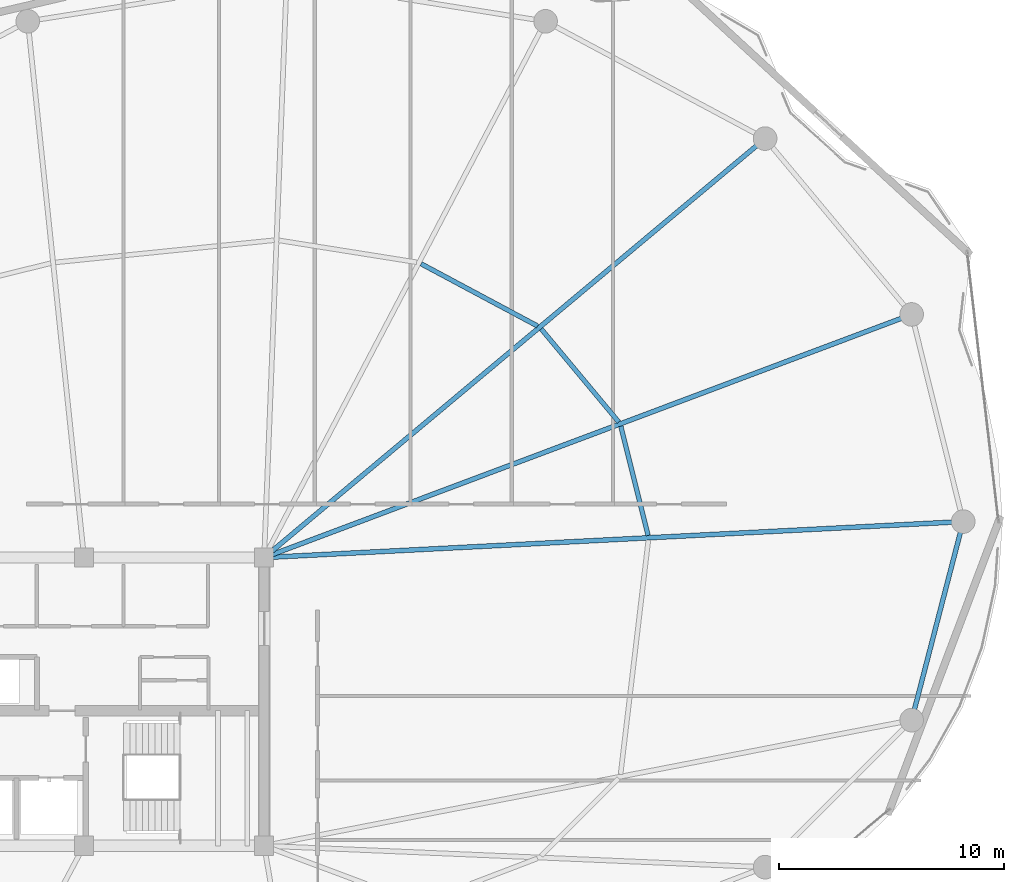
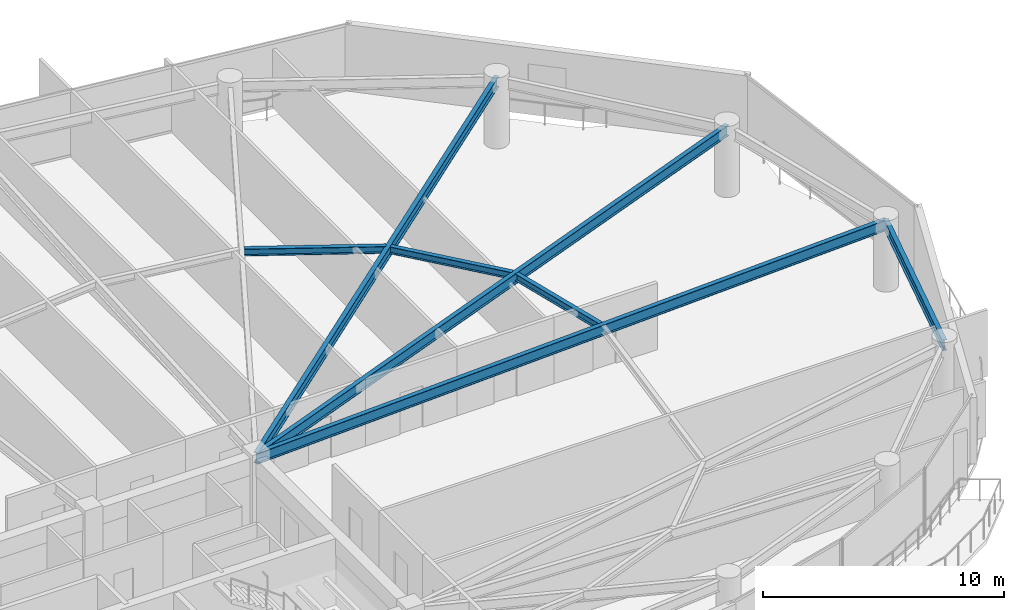
# One storey, part 15 of 31: 7 beams.
"""IFC4 building model written with IfcOpenShell, lengths in metres."""

import ifcopenshell
import ifcopenshell.guid

model = None  # the IFC model being written
_history = None  # IfcOwnerHistory: only IFC2X3 demands one
_inside = {}  # id of a spatial element -> (the spatial element, [elements in it])
_under = {}  # id of a project, library or spatial element -> (it, [spatial elements below it])
_declared = {}  # id of a project -> (the project, [libraries it declares])
_typed = {}  # id of a type object -> (the type object, [elements of that type])
_made_of = {}  # id of a material, layer set ... -> (it, [elements and type objects made of it])


def new_model(schema):
    """Start an empty IFC model of exactly this schema.

    Asked for "IFC4X3", IfcOpenShell would pick the latest addendum, in which some entities
    have other attributes; the version numbers below select the first issue.
    IFC2X3 requires an IfcOwnerHistory on every rooted entity: one is made here for all.
    """
    global model, _history
    if schema == "IFC4X3":
        model = ifcopenshell.file(schema_version=(4, 3, 0, 0))
    else:
        model = ifcopenshell.file(schema=schema)
    _inside.clear()
    _under.clear()
    _declared.clear()
    _typed.clear()
    _made_of.clear()
    _history = None
    if model.schema == "IFC2X3":
        org = make("IfcOrganization", Name="unknown")
        user = make(
            "IfcPersonAndOrganization",
            ThePerson=make("IfcPerson", FamilyName="unknown"),
            TheOrganization=org,
        )
        app = make(
            "IfcApplication",
            ApplicationDeveloper=org,
            Version="unknown",
            ApplicationFullName="unknown",
            ApplicationIdentifier="unknown",
        )
        _history = make(
            "IfcOwnerHistory",
            OwningUser=user,
            OwningApplication=app,
            ChangeAction="ADDED",
            CreationDate=0,
        )
    return model


def make(cls, **values):
    """One entity of the class cls with the attributes given. An attribute that is None is left unset."""
    return model.create_entity(
        cls, **{name: value for name, value in values.items() if value is not None}
    )


def rooted(cls, **values):
    """An entity with a GlobalId (a new one), such as an element, a storey or a relation."""
    return make(cls, GlobalId=ifcopenshell.guid.new(), OwnerHistory=_history, **values)


def si_unit(unit_type, name, prefix=None):
    """IfcSIUnit, for example si_unit("LENGTHUNIT", "METRE", prefix="MILLI")."""
    return make("IfcSIUnit", UnitType=unit_type, Prefix=prefix, Name=name)


def assignment(units):
    """IfcUnitAssignment: the units of a project."""
    return None if units is None else make("IfcUnitAssignment", Units=units)


def point(xyz):
    """IfcCartesianPoint."""
    return None if xyz is None else make("IfcCartesianPoint", Coordinates=xyz)


def direction(xyz):
    """IfcDirection."""
    return None if xyz is None else make("IfcDirection", DirectionRatios=xyz)


def frame(location, z_axis=None, x_axis=None):
    """IfcAxis2Placement3D, a coordinate frame: its origin and axes. An axis left out is left unset."""
    return make(
        "IfcAxis2Placement3D",
        Location=point(location),
        Axis=direction(z_axis),
        RefDirection=direction(x_axis),
    )


def frame_2d(location, x_axis=None):
    """IfcAxis2Placement2D, a coordinate frame in the plane: its origin and x axis."""
    return make(
        "IfcAxis2Placement2D", Location=point(location), RefDirection=direction(x_axis)
    )


def origin():
    """The frame at (0, 0, 0) with its axes left unset."""
    return frame((0.0, 0.0, 0.0))


def origin_2d():
    """The frame at (0, 0) in the plane with its x axis left unset."""
    return frame_2d((0.0, 0.0))


def place(relative_to, where):
    """IfcLocalPlacement: puts the frame where relative to a parent placement (None: the world)."""
    return make(
        "IfcLocalPlacement", PlacementRelTo=relative_to, RelativePlacement=where
    )


def context(
    kind, dimensions, precision=None, world=None, true_north=None, identifier=None
):
    """IfcGeometricRepresentationContext, for example the 3D "Model" context."""
    return make(
        "IfcGeometricRepresentationContext",
        ContextIdentifier=identifier,
        ContextType=kind,
        CoordinateSpaceDimension=dimensions,
        Precision=precision,
        WorldCoordinateSystem=world,
        TrueNorth=true_north,
    )


def subcontext(parent, identifier, kind, view, scale=None):
    """IfcGeometricRepresentationSubContext, for example "Body" below "Model"."""
    return make(
        "IfcGeometricRepresentationSubContext",
        ContextIdentifier=identifier,
        ContextType=kind,
        ParentContext=parent,
        TargetScale=scale,
        TargetView=view,
    )


def project(units=None, contexts=None):
    """IfcProject with its units and contexts."""
    return rooted(
        "IfcProject",
        Name="project",
        RepresentationContexts=contexts,
        UnitsInContext=assignment(units),
    )


def spatial(cls, under=None, at=None, **own):
    """A site, building, storey or space (cls), placed at a placement, below another one or the project."""
    s = rooted(cls, ObjectPlacement=at, **own)
    if under is not None:
        _under.setdefault(under.id(), (under, []))[1].append(s)
    return s


def profile(cls, at=None, kind="AREA", **sizes):
    """A parametric profile (cls). Its sizes go by their IFC names, for example OverallWidth=200.0."""
    return make(cls, ProfileType=kind, Position=at, **sizes)


def i_section(**sizes):
    """IfcIShapeProfileDef."""
    return profile("IfcIShapeProfileDef", **sizes)


def extrude(swept, where, along, depth):
    """IfcExtrudedAreaSolid: the profile swept, set in the frame where, extruded along a direction by depth."""
    return make(
        "IfcExtrudedAreaSolid",
        SweptArea=swept,
        Position=where,
        ExtrudedDirection=direction(along),
        Depth=depth,
    )


def shape(context_of_items, identifier, shape_type, items):
    """IfcShapeRepresentation: the items that make up one representation, for example the "Body"."""
    return make(
        "IfcShapeRepresentation",
        ContextOfItems=context_of_items,
        RepresentationIdentifier=identifier,
        RepresentationType=shape_type,
        Items=items,
    )


def material(Name=None, Category=None):
    """IfcMaterial."""
    return make("IfcMaterial", Name=Name, Category=Category)


def material_profile(
    of_material, cross_section, Name=None, Category=None, Priority=None
):
    """IfcMaterialProfile: a cross section and its material."""
    return make(
        "IfcMaterialProfile",
        Name=Name,
        Material=of_material,
        Profile=cross_section,
        Priority=Priority,
        Category=Category,
    )


def profile_set(profiles, Name=None, composite=None):
    """IfcMaterialProfileSet."""
    return make(
        "IfcMaterialProfileSet",
        Name=Name,
        MaterialProfiles=profiles,
        CompositeProfile=composite,
    )


def made_of(thing, what):
    """Note that an element or type object is made of a material, layer set ...; save() writes the relation."""
    if what is not None:
        _made_of.setdefault(what.id(), (what, []))[1].append(thing)
    return thing


def type_object(cls, material=None, **own):
    """A type object (cls), such as IfcWallType, which elements share."""
    return made_of(rooted(cls, **own), material)


def element(
    cls,
    number,
    at=None,
    inside=None,
    cuts=None,
    type_object=None,
    material=None,
    context=None,
    identifier="Body",
    shape_type=None,
    held_by="IfcProductDefinitionShape",
    body=None,
    shapes=None,
    **own,
):
    """One element of the class cls, such as IfcWall. Its Tag is "e" and its number.

    at: its placement. inside: the storey or other place that contains it. cuts: it is an
    opening in that element (IfcRelVoidsElement). A single representation is given by context,
    identifier, shape_type and body (its items); several are given by shapes. held_by: the class
    of the entity that holds the representations. save() writes the other relations.
    """
    e = rooted(cls, Tag="e%d" % number, ObjectPlacement=at, **own)
    if body is not None:
        shapes = [shape(context, identifier, shape_type, body)]
    if shapes is not None:
        e.Representation = make(held_by, Representations=shapes)
    if inside is not None:
        _inside.setdefault(inside.id(), (inside, []))[1].append(e)
    if cuts is not None:
        rooted(
            "IfcRelVoidsElement", RelatingBuildingElement=cuts, RelatedOpeningElement=e
        )
    if type_object is not None:
        _typed.setdefault(type_object.id(), (type_object, []))[1].append(e)
    return made_of(e, material)


def aggregate(whole, parts):
    """IfcRelAggregates: a whole, such as a stair, and the parts it consists of."""
    return rooted("IfcRelAggregates", RelatingObject=whole, RelatedObjects=parts)


def save(model, path):
    """Write the relations noted so far, then the file.

    IfcRelAggregates (storeys below a building ...), IfcRelContainedInSpatialStructure (elements
    in a storey), IfcRelDefinesByType, IfcRelAssociatesMaterial and IfcRelDeclares: one each for
    every whole, place, type object, material and project.
    """
    for whole, parts in _under.values():
        aggregate(whole, parts)
    for where, things in _inside.values():
        rooted(
            "IfcRelContainedInSpatialStructure",
            RelatedElements=things,
            RelatingStructure=where,
        )
    for kind, things in _typed.values():
        rooted("IfcRelDefinesByType", RelatedObjects=things, RelatingType=kind)
    for what, things in _made_of.values():
        rooted("IfcRelAssociatesMaterial", RelatedObjects=things, RelatingMaterial=what)
    for by, libraries in _declared.values():
        rooted("IfcRelDeclares", RelatingContext=by, RelatedDefinitions=libraries)
    model.write(path)


model = new_model("IFC4")

# Units and contexts
model_context = context("Model", 3, precision=1e-05, world=origin(), true_north=direction((0.0, 1.0)))
body_context = subcontext(model_context, "Body", "Model", "MODEL_VIEW")
ifc_project = project(units=[si_unit("LENGTHUNIT", "METRE"), si_unit("AREAUNIT", "SQUARE_METRE"), si_unit("VOLUMEUNIT", "CUBIC_METRE"), si_unit("PLANEANGLEUNIT", "RADIAN"), si_unit("MASSUNIT", "GRAM", prefix="KILO")], contexts=[model_context])

# Site, building, storey
site_placement = place(None, origin())
site = spatial("IfcSite", under=ifc_project, at=site_placement, CompositionType="ELEMENT")
building_placement = place(site_placement, origin())
building = spatial("IfcBuilding", under=site, at=building_placement, Name="Kazevale Care Tower and Concert Hall", CompositionType="ELEMENT")
storey_placement = place(building_placement, frame((0.0, 0.0, 220.800048828125)))
storey = spatial("IfcBuildingStorey", under=building, at=storey_placement, Name="L58", CompositionType="ELEMENT", Elevation=220.800048828125)

# Beams
ifc_material = material(Name="Steel ASTM A572 Gr 50", Category="steel")
ifc_material_profile_1 = material_profile(ifc_material, i_section(OverallWidth=0.2119140625, OverallDepth=0.5439453125, WebThickness=0.01318359375, FlangeThickness=0.021240234375, at=origin_2d()), Name="W530x123")
ifc_profile_set_1 = profile_set([ifc_material_profile_1], Name="Steel ASTM A572 Gr 50")
beam_type_1 = type_object("IfcBeamType", Name="Radial Floor Girder W530x123", PredefinedType="BEAM", material=ifc_profile_set_1)
beam_1_placement = place(storey_placement, frame((44.0, 36.39990234375, 3.087890625), z_axis=(0.998674821251, 0.051464564506, 0.0), x_axis=(-0.051464564506, 0.998674821251, 0.0)))
element("IfcBeam", 1, at=beam_1_placement, inside=storey, type_object=beam_type_1, Name="beam:L58:rad:01", PredefinedType="BEAM", context=body_context, shape_type="SweptSolid", body=[
    extrude(i_section(OverallWidth=0.2119140625, OverallDepth=0.5439453125, WebThickness=0.01318359375, FlangeThickness=0.021240234375, at=origin_2d()), origin(), (0.0, 0.0, 1.0), 31.09130859375),
])
beam_2_placement = place(storey_placement, frame((44.0, 36.39990234375, 3.087890625), z_axis=(0.936168070124, 0.351552762015, 0.0), x_axis=(-0.351552762015, 0.936168070124, 0.0)))
element("IfcBeam", 2, at=beam_2_placement, inside=storey, type_object=beam_type_1, Name="beam:L58:rad:02", PredefinedType="BEAM", context=body_context, shape_type="SweptSolid", body=[
    extrude(i_section(OverallWidth=0.2119140625, OverallDepth=0.5439453125, WebThickness=0.01318359375, FlangeThickness=0.021240234375, at=origin_2d()), origin(), (0.0, 0.0, 1.0), 30.720947265625),
])
beam_3_placement = place(storey_placement, frame((44.0, 36.39990234375, 3.087890625), z_axis=(0.767059624015, 0.64157582031, 0.0), x_axis=(-0.64157582031, 0.767059624015, 0.0)))
element("IfcBeam", 3, at=beam_3_placement, inside=storey, type_object=beam_type_1, Name="beam:L58:rad:03", PredefinedType="BEAM", context=body_context, shape_type="SweptSolid", body=[
    extrude(i_section(OverallWidth=0.2119140625, OverallDepth=0.5439453125, WebThickness=0.01318359375, FlangeThickness=0.021240234375, at=origin_2d()), origin(), (0.0, 0.0, 1.0), 29.0068359375),
])
ifc_material_profile_2 = material_profile(ifc_material, i_section(OverallWidth=0.205078125, OverallDepth=0.35400390625, WebThickness=0.009521484375, FlangeThickness=0.016845703125, at=origin_2d()), Name="W360x79")
ifc_profile_set_2 = profile_set([ifc_material_profile_2], Name="Steel ASTM A572 Gr 50")
beam_type_2 = type_object("IfcBeamType", Name="Secondary Floor Joist W360x79", PredefinedType="JOIST", material=ifc_profile_set_2)
beam_4_placement = place(storey_placement, frame((61.052001953125, 37.382080078125, 3.182861328125), z_axis=(-0.241594204931, 0.970377369967, 0.0), x_axis=(-0.970377369967, -0.241594204931, 0.0)))
element("IfcBeam", 4, at=beam_4_placement, inside=storey, type_object=beam_type_2, Name="beam:L58:joist:01", PredefinedType="JOIST", context=body_context, shape_type="SweptSolid", body=[
    extrude(i_section(OverallWidth=0.205078125, OverallDepth=0.35400390625, WebThickness=0.009521484375, FlangeThickness=0.016845703125, at=origin_2d()), origin(), (0.0, 0.0, 1.0), 5.004150390625),
])
beam_5_placement = place(storey_placement, frame((59.7509765625, 42.4208984375, 3.182861328125), z_axis=(-0.640295940788, 0.768128314939, 0.0), x_axis=(-0.768128314939, -0.640295940788, 0.0)))
element("IfcBeam", 5, at=beam_5_placement, inside=storey, type_object=beam_type_2, Name="beam:L58:joist:02", PredefinedType="JOIST", context=body_context, shape_type="SweptSolid", body=[
    extrude(i_section(OverallWidth=0.205078125, OverallDepth=0.35400390625, WebThickness=0.009521484375, FlangeThickness=0.016845703125, at=origin_2d()), origin(), (0.0, 0.0, 1.0), 5.3818359375),
])
beam_6_placement = place(storey_placement, frame((56.14501953125, 46.68505859375, 3.182861328125), z_axis=(-0.881943890935, 0.471354403016, 0.0), x_axis=(-0.471354403016, -0.881943890935, 0.0)))
element("IfcBeam", 6, at=beam_6_placement, inside=storey, type_object=beam_type_2, Name="beam:L58:joist:03", PredefinedType="JOIST", context=body_context, shape_type="SweptSolid", body=[
    extrude(i_section(OverallWidth=0.205078125, OverallDepth=0.35400390625, WebThickness=0.009521484375, FlangeThickness=0.016845703125, at=origin_2d()), origin(), (0.0, 0.0, 1.0), 5.869873046875),
])
ifc_material_profile_3 = material_profile(ifc_material, i_section(OverallWidth=0.208984375, OverallDepth=0.532958984375, WebThickness=0.01025390625, FlangeThickness=0.015625, at=origin_2d()), Name="W530x92")
ifc_profile_set_3 = profile_set([ifc_material_profile_3], Name="Steel ASTM A572 Gr 50")
beam_type_3 = type_object("IfcBeamType", Name="Upper Ring Beam W530x92", PredefinedType="BEAM", material=ifc_profile_set_3)
beam_7_placement = place(storey_placement, frame((72.760009765625, 29.179931640625, 3.093505859375), z_axis=(0.251307095899, 0.96790740443, 0.0), x_axis=(-0.96790740443, 0.251307095899, 0.0)))
element("IfcBeam", 7, at=beam_7_placement, inside=storey, type_object=beam_type_3, Name="beam:L58:ring:16", PredefinedType="BEAM", context=body_context, shape_type="SweptSolid", body=[
    extrude(i_section(OverallWidth=0.208984375, OverallDepth=0.532958984375, WebThickness=0.01025390625, FlangeThickness=0.015625, at=origin_2d()), origin(), (0.0, 0.0, 1.0), 9.112548828125),
])

save(model, "model.ifc")
